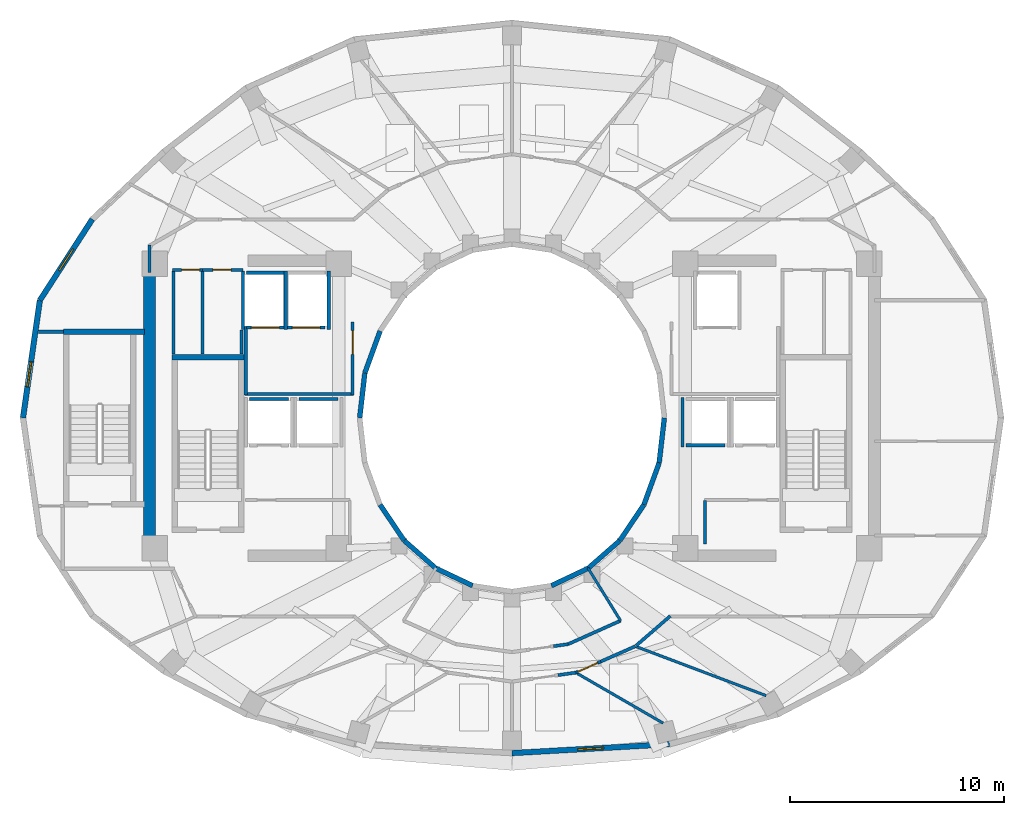
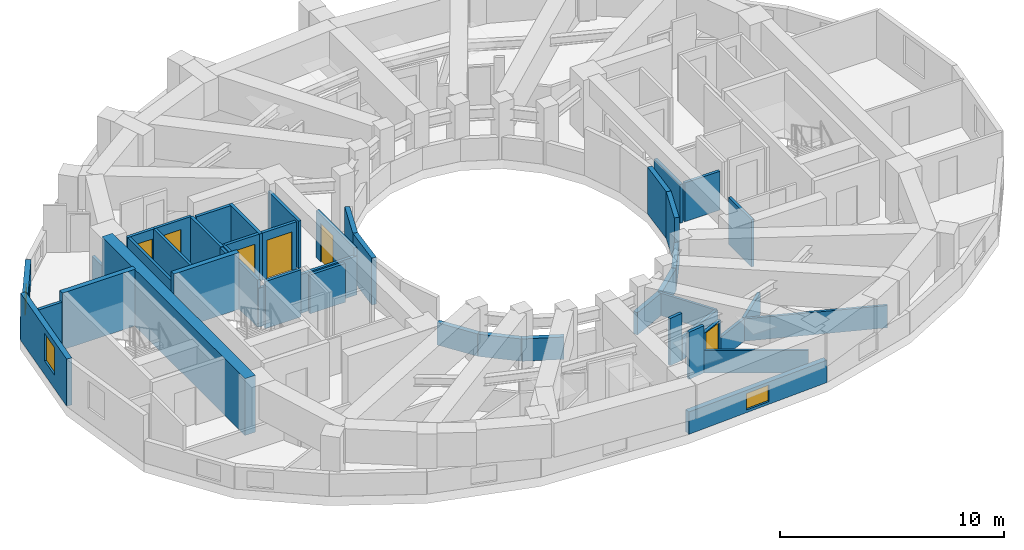
# One storey, part 4 of 9: 46 walls, 6 doors, 3 windows, 9 openings.
"""IFC4 building model written with IfcOpenShell, lengths in metres."""

from ifc_helpers import new_model, si_unit, direction, frame, frame_2d, origin, place, context, subcontext, project, spatial, rectangle, extrude, material, layer, layer_set, type_object, element, fill, save


model = new_model("IFC4")

# Units and contexts
model_context = context("Model", 3, precision=1e-05, world=origin(), true_north=direction((0.0, 1.0)))
body_context = subcontext(model_context, "Body", "Model", "MODEL_VIEW")
ifc_project = project(units=[si_unit("LENGTHUNIT", "METRE"), si_unit("AREAUNIT", "SQUARE_METRE"), si_unit("VOLUMEUNIT", "CUBIC_METRE"), si_unit("PLANEANGLEUNIT", "RADIAN"), si_unit("MASSUNIT", "GRAM", prefix="KILO")], contexts=[model_context])

# Site, building, storey
site_placement = place(None, origin())
site = spatial("IfcSite", under=ifc_project, at=site_placement, CompositionType="ELEMENT")
building_placement = place(site_placement, origin())
building = spatial("IfcBuilding", under=site, at=building_placement, Name="Solvane Sanctuary Tower", CompositionType="ELEMENT")
storey_placement = place(building_placement, frame((0.0, 0.0, 190.10009765625)))
storey = spatial("IfcBuildingStorey", under=building, at=storey_placement, Name="L58", CompositionType="ELEMENT", Elevation=190.10009765625)

# Walls
ifc_material_1 = material(Name="Concrete C50/60", Category="concrete")
ifc_layer_1 = layer(ifc_material_1, 0.550048828125, Name="Concrete C50/60")
ifc_layer_set_1 = layer_set([ifc_layer_1], Name="Concrete C50/60")
wall_type_1 = type_object("IfcWallType", Name="Wall W-CORE-550", PredefinedType="SHEAR", material=ifc_layer_set_1)
wall_1_placement = place(storey_placement, frame((15.050048828125, 17.050048828125, 0.0), z_axis=(0.0, 0.0, 1.0), x_axis=(0.0, 1.0, 0.0)))
element("IfcWall", 1, at=wall_1_placement, inside=storey, type_object=wall_type_1, Name="L58 Core Shear Wall WC-W", PredefinedType="SHEAR", context=body_context, shape_type="SweptSolid", body=[
    extrude(rectangle(XDim=12.800048828125, YDim=0.550048828125, at=frame_2d((6.39990234375, 0.0))), origin(), (0.0, 0.0, 1.0), 3.099853515625),
])
ifc_material_2 = material(Name="Acoustic Gypsum Partition Board")
ifc_layer_2 = layer(ifc_material_2, 0.14990234375, Name="Acoustic Gypsum Partition Board")
ifc_layer_set_2 = layer_set([ifc_layer_2], Name="Acoustic Gypsum Partition Board")
wall_type_2 = type_object("IfcWallType", Name="Wall W-CORR-150", PredefinedType="PARTITIONING", material=ifc_layer_set_2)
wall_2_placement = place(storey_placement, frame((19.52001953125, 24.1201171875, 0.0), z_axis=(0.0, 0.0, 1.0), x_axis=(1.0, 0.0, 0.0)))
element("IfcWall", 2, at=wall_2_placement, inside=storey, type_object=wall_type_2, Name="L58 West Firefighting Lobby South Wall", PredefinedType="PARTITIONING", context=body_context, shape_type="SweptSolid", body=[
    extrude(rectangle(XDim=5.080078125, YDim=0.14990234375, at=frame_2d((2.5400390625, 0.0))), origin(), (0.0, 0.0, 1.0), 2.119873046875),
])
wall_3_placement = place(storey_placement, frame((19.550048828125, 24.080078125, 0.0), z_axis=(0.0, 0.0, 1.0), x_axis=(0.0, 1.0, 0.0)))
element("IfcWall", 3, at=wall_3_placement, inside=storey, type_object=wall_type_2, Name="L58 West Firefighting Lobby West Wall", PredefinedType="PARTITIONING", context=body_context, shape_type="SweptSolid", body=[
    extrude(rectangle(XDim=3.199951171875, YDim=0.14990234375, at=frame_2d((1.60009765625, 0.0))), origin(), (0.0, 0.0, 1.0), 2.574951171875),
])

# Wall, opening, door
wall_4_placement = place(storey_placement, frame((24.550048828125, 24.080078125, 0.0), z_axis=(0.0, 0.0, 1.0), x_axis=(0.0, 1.0, 0.0)))
wall_4 = element("IfcWall", 4, at=wall_4_placement, inside=storey, type_object=wall_type_2, Name="L58 West Firefighting Lobby East Wall", PredefinedType="PARTITIONING", context=body_context, shape_type="SweptSolid", body=[
    extrude(rectangle(XDim=3.39990234375, YDim=0.14990234375, at=frame_2d((1.699951171875, 0.0))), origin(), (0.0, 0.0, 1.0), 2.574951171875),
])
opening_1_placement = place(wall_4_placement, frame((1.893798828125, 0.0, 0.0)))
opening_1 = element("IfcOpeningElement", 5, at=opening_1_placement, cuts=wall_4, Name="Opening D-L58-04", PredefinedType="OPENING", context=body_context, shape_type="SweptSolid", body=[
    extrude(rectangle(XDim=1.10009765625, YDim=2.10009765625, at=frame_2d((0.550048828125, 1.050048828125))), frame((0.0, 0.0849609375, 0.0), z_axis=(0.0, -1.0, 0.0), x_axis=(1.0, 0.0, 0.0)), (0.0, 0.0, 1.0), 0.169921875),
])
ifc_material_3 = material(Name="Architectural Stainless Steel 316", Category="steel")
door_type_1 = type_object("IfcDoorType", Name="Door D-FFL", OperationType="NOTDEFINED", PredefinedType="DOOR", material=ifc_material_3)
door_1_placement = place(opening_1_placement, origin())
door_1 = element("IfcDoor", 6, at=door_1_placement, inside=storey, type_object=door_type_1, Name="L58 West Firefighting Lobby Fire Door", OperationType="SINGLE_SWING_LEFT", OverallHeight=2.10009765625, OverallWidth=1.10009765625, PredefinedType="DOOR", context=body_context, shape_type="SweptSolid", body=[
    extrude(rectangle(XDim=1.10009765625, YDim=2.10009765625, at=frame_2d((0.550048828125, 1.050048828125))), frame((0.0, 0.02490234375, 0.0), z_axis=(0.0, -1.0, 0.0), x_axis=(1.0, 0.0, 0.0)), (0.0, 0.0, 1.0), 0.050048828125),
])
fill(opening_1, door_1)

# Walls
wall_5_placement = place(storey_placement, frame((9.869873046875, 27.030029296875, 0.0), z_axis=(0.0, 0.0, 1.0), x_axis=(1.0, 0.0, 0.0)))
element("IfcWall", 7, at=wall_5_placement, inside=storey, type_object=wall_type_2, Name="L58 NW Corner Closer 1", PredefinedType="PARTITIONING", context=body_context, shape_type="SweptSolid", body=[
    extrude(rectangle(XDim=1.170166015625, YDim=0.14990234375, at=frame_2d((0.5849609375, 0.0))), origin(), (0.0, 0.0, 1.0), 2.574951171875),
])
wall_6_placement = place(storey_placement, frame((15.050048828125, 29.800048828125, 0.0), z_axis=(0.0, 0.0, 1.0), x_axis=(0.0, 1.0, 0.0)))
element("IfcWall", 8, at=wall_6_placement, inside=storey, type_object=wall_type_2, Name="L58 NW Corner Closer 2", PredefinedType="PARTITIONING", context=body_context, shape_type="SweptSolid", body=[
    extrude(rectangle(XDim=1.2900390625, YDim=0.14990234375, at=frame_2d((0.64501953125, 0.0))), origin(), (0.0, 0.0, 1.0), 1.219970703125),
])
wall_7_placement = place(storey_placement, frame((37.806640625, 12.35791015625, 0.0), z_axis=(0.0, 0.0, 1.0), x_axis=(0.756055312247, 0.654507727092, 0.0)))
element("IfcWall", 9, at=wall_7_placement, inside=storey, type_object=wall_type_2, Name="L58 SE Corner Throat Wall", PredefinedType="PARTITIONING", context=body_context, shape_type="SweptSolid", body=[
    extrude(rectangle(XDim=2.11083984375, YDim=0.14990234375, at=frame_2d((1.055419921875, 0.0))), origin(), (0.0, 0.0, 1.0), 1.219970703125),
])
wall_8_placement = place(storey_placement, frame((33.942138671875, 12.326171875, 0.0), z_axis=(0.0, 0.0, 1.0), x_axis=(0.990082845611, 0.140484728093, 0.0)))
element("IfcWall", 10, at=wall_8_placement, inside=storey, type_object=wall_type_2, Name="L58 Inner Light-Well Corridor Wall S1", PredefinedType="PARTITIONING", context=body_context, shape_type="SweptSolid", body=[
    extrude(rectangle(XDim=0.693359375, YDim=0.14990234375, at=frame_2d((0.3466796875, 0.0))), origin(), (0.0, 0.0, 1.0), 2.574951171875),
])
wall_9_placement = place(storey_placement, frame((34.625244140625, 12.422607421875, 0.0), z_axis=(0.0, 0.0, 1.0), x_axis=(0.912888568324, 0.408208845842, 0.0)))
element("IfcWall", 11, at=wall_9_placement, inside=storey, type_object=wall_type_2, Name="L58 Inner Light-Well Corridor Wall S1", PredefinedType="PARTITIONING", context=body_context, shape_type="SweptSolid", body=[
    extrude(rectangle(XDim=2.690185546875, YDim=0.14990234375, at=frame_2d((1.34521484375, 0.0))), origin(), (0.0, 0.0, 1.0), 1.219970703125),
])
wall_10_placement = place(storey_placement, frame((34.1455078125, 10.97314453125, 0.0), z_axis=(0.0, 0.0, 1.0), x_axis=(0.990238723834, 0.139381741342, 0.0)))
element("IfcWall", 12, at=wall_10_placement, inside=storey, type_object=wall_type_2, Name="L58 Unit Corridor Wall S3", PredefinedType="PARTITIONING", context=body_context, shape_type="SweptSolid", body=[
    extrude(rectangle(XDim=0.854736328125, YDim=0.14990234375, at=frame_2d((0.42724609375, 0.0))), origin(), (0.0, 0.0, 1.0), 2.574951171875),
])

# Wall, opening, door
wall_11_placement = place(storey_placement, frame((34.976318359375, 11.087890625, 0.0), z_axis=(0.0, 0.0, 1.0), x_axis=(0.91435342481, 0.40491704649, 0.0)))
wall_11 = element("IfcWall", 13, at=wall_11_placement, inside=storey, type_object=wall_type_2, Name="L58 Unit Corridor Wall S4", PredefinedType="PARTITIONING", context=body_context, shape_type="SweptSolid", body=[
    extrude(rectangle(XDim=1.280029296875, YDim=0.14990234375, at=frame_2d((0.64013671875, 0.0))), origin(), (0.0, 0.0, 1.0), 2.159912109375),
])
opening_2_placement = place(wall_11_placement, frame((0.1201171875, 0.0, 0.0)))
opening_2 = element("IfcOpeningElement", 14, at=opening_2_placement, cuts=wall_11, Name="Opening D-L58-30", PredefinedType="OPENING", context=body_context, shape_type="SweptSolid", body=[
    extrude(rectangle(XDim=1.0, YDim=2.10009765625, at=frame_2d((0.5, 1.050048828125))), frame((0.0, 0.0849609375, 0.0), z_axis=(0.0, -1.0, 0.0), x_axis=(1.0, 0.0, 0.0)), (0.0, 0.0, 1.0), 0.169921875),
])
ifc_material_4 = material(Name="Engineered Tropical Hardwood", Category="wood")
door_type_2 = type_object("IfcDoorType", Name="Door D-UNIT", OperationType="NOTDEFINED", PredefinedType="DOOR", material=ifc_material_4)
door_2_placement = place(opening_2_placement, origin())
door_2 = element("IfcDoor", 15, at=door_2_placement, inside=storey, type_object=door_type_2, Name="L58 Unit Entrance Door S4", OperationType="SINGLE_SWING_LEFT", OverallHeight=2.10009765625, OverallWidth=1.0, PredefinedType="DOOR", context=body_context, shape_type="SweptSolid", body=[
    extrude(rectangle(XDim=1.0, YDim=2.10009765625, at=frame_2d((0.5, 1.050048828125))), frame((0.0, 0.02490234375, 0.0), z_axis=(0.0, -1.0, 0.0), x_axis=(1.0, 0.0, 0.0)), (0.0, 0.0, 1.0), 0.050048828125),
])
fill(opening_2, door_2)

# Wall
wall_12_placement = place(storey_placement, frame((36.146728515625, 11.606201171875, 0.0), z_axis=(0.0, 0.0, 1.0), x_axis=(0.914303617865, 0.405029498135, 0.0)))
element("IfcWall", 16, at=wall_12_placement, inside=storey, type_object=wall_type_2, Name="L58 Unit Corridor Wall S4", PredefinedType="PARTITIONING", context=body_context, shape_type="SweptSolid", body=[
    extrude(rectangle(XDim=1.777587890625, YDim=0.14990234375, at=frame_2d((0.888671875, 0.0))), origin(), (0.0, 0.0, 1.0), 1.219970703125),
])

# Wall, opening, window
ifc_material_5 = material(Name="Precast concrete C40/50", Category="concrete")
ifc_layer_3 = layer(ifc_material_5, 0.260009765625, Name="Precast concrete C40/50")
ifc_layer_set_3 = layer_set([ifc_layer_3], Name="Precast concrete C40/50")
wall_type_3 = type_object("IfcWallType", Name="Wall W-EXT-250", PredefinedType="STANDARD", material=ifc_layer_set_3)
wall_13_placement = place(storey_placement, frame((12.380859375, 32.28369140625, 0.0), z_axis=(0.0, 0.0, 1.0), x_axis=(-0.543358984534, -0.839500454989, 0.0)))
wall_13 = element("IfcWall", 17, at=wall_13_placement, inside=storey, type_object=wall_type_3, Name="L58 Ceramic-Printed Facade Wall 10", PredefinedType="STANDARD", context=body_context, shape_type="SweptSolid", body=[
    extrude(rectangle(XDim=4.51123046875, YDim=0.260009765625, at=frame_2d((2.255615234375, 0.0))), origin(), (0.0, 0.0, 1.0), 1.219970703125),
])
opening_3_placement = place(wall_13_placement, frame((1.655517578125, 0.0, 0.14990234375)))
opening_3 = element("IfcOpeningElement", 18, at=opening_3_placement, cuts=wall_13, Name="Opening WN-OPER-1200", PredefinedType="OPENING", context=body_context, shape_type="SweptSolid", body=[
    extrude(rectangle(XDim=1.199951171875, YDim=0.89990234375, at=frame_2d((0.60009765625, 0.449951171875))), frame((0.0, 0.139892578125, 0.0), z_axis=(0.0, -1.0, 0.0), x_axis=(1.0, 0.0, 0.0)), (0.0, 0.0, 1.0), 0.280029296875),
])
ifc_material_6 = material(Name="Dark Ceramic-Fritted Low-E Glass", Category="glass")
window_type = type_object("IfcWindowType", Name="Window WN-OPER-1200", PartitioningType="SINGLE_PANEL", PredefinedType="WINDOW", material=ifc_material_6)
window_1_placement = place(opening_3_placement, origin())
window_1 = element("IfcWindow", 19, at=window_1_placement, inside=storey, type_object=window_type, Name="L58 Operable Facade Window 10", OverallHeight=0.89990234375, OverallWidth=1.199951171875, PartitioningType="SINGLE_PANEL", PredefinedType="WINDOW", context=body_context, shape_type="SweptSolid", body=[
    extrude(rectangle(XDim=1.199951171875, YDim=0.89990234375, at=frame_2d((0.60009765625, 0.449951171875))), frame((0.0, 0.030029296875, 0.0), z_axis=(0.0, -1.0, 0.0), x_axis=(1.0, 0.0, 0.0)), (0.0, 0.0, 1.0), 0.06005859375),
])
fill(opening_3, window_1)

wall_14_placement = place(storey_placement, frame((9.9296875, 28.49658203125, 0.0), z_axis=(0.0, 0.0, 1.0), x_axis=(-0.142227632286, -0.989833976288, 0.0)))
wall_14 = element("IfcWall", 20, at=wall_14_placement, inside=storey, type_object=wall_type_3, Name="L58 Ceramic-Printed Facade Wall 11", PredefinedType="STANDARD", context=body_context, shape_type="SweptSolid", body=[
    extrude(rectangle(XDim=5.552978515625, YDim=0.260009765625, at=frame_2d((2.7763671875, 0.0))), origin(), (0.0, 0.0, 1.0), 2.56982421875),
])
opening_4_placement = place(wall_14_placement, frame((2.892333984375, 0.0, 0.75)))
opening_4 = element("IfcOpeningElement", 21, at=opening_4_placement, cuts=wall_14, Name="Opening WN-OPER-1200", PredefinedType="OPENING", context=body_context, shape_type="SweptSolid", body=[
    extrude(rectangle(XDim=1.199951171875, YDim=1.5, at=frame_2d((0.60009765625, 0.75))), frame((0.0, 0.139892578125, 0.0), z_axis=(0.0, -1.0, 0.0), x_axis=(1.0, 0.0, 0.0)), (0.0, 0.0, 1.0), 0.280029296875),
])
window_2_placement = place(opening_4_placement, origin())
window_2 = element("IfcWindow", 22, at=window_2_placement, inside=storey, type_object=window_type, Name="L58 Operable Facade Window 11", OverallHeight=1.5, OverallWidth=1.199951171875, PartitioningType="SINGLE_PANEL", PredefinedType="WINDOW", context=body_context, shape_type="SweptSolid", body=[
    extrude(rectangle(XDim=1.199951171875, YDim=1.5, at=frame_2d((0.60009765625, 0.75))), frame((0.0, 0.030029296875, 0.0), z_axis=(0.0, -1.0, 0.0), x_axis=(1.0, 0.0, 0.0)), (0.0, 0.0, 1.0), 0.06005859375),
])
fill(opening_4, window_2)

wall_15_placement = place(storey_placement, frame((32.0, 7.32861328125, 0.0), z_axis=(0.0, 0.0, 1.0), x_axis=(0.998417906562, 0.056228852534, 0.0)))
wall_15 = element("IfcWall", 23, at=wall_15_placement, inside=storey, type_object=wall_type_3, Name="L58 Ceramic-Printed Facade Wall 18", PredefinedType="STANDARD", context=body_context, shape_type="SweptSolid", body=[
    extrude(rectangle(XDim=7.376953125, YDim=0.260009765625, at=frame_2d((3.6884765625, 0.0))), origin(), (0.0, 0.0, 1.0), 1.219970703125),
])
opening_5_placement = place(wall_15_placement, frame((3.08837890625, 0.0, 0.14990234375)))
opening_5 = element("IfcOpeningElement", 24, at=opening_5_placement, cuts=wall_15, Name="Opening WN-OPER-1200", PredefinedType="OPENING", context=body_context, shape_type="SweptSolid", body=[
    extrude(rectangle(XDim=1.199951171875, YDim=0.89990234375, at=frame_2d((0.60009765625, 0.449951171875))), frame((0.0, 0.139892578125, 0.0), z_axis=(0.0, -1.0, 0.0), x_axis=(1.0, 0.0, 0.0)), (0.0, 0.0, 1.0), 0.280029296875),
])
window_3_placement = place(opening_5_placement, origin())
window_3 = element("IfcWindow", 25, at=window_3_placement, inside=storey, type_object=window_type, Name="L58 Operable Facade Window 18", OverallHeight=0.89990234375, OverallWidth=1.199951171875, PartitioningType="SINGLE_PANEL", PredefinedType="WINDOW", context=body_context, shape_type="SweptSolid", body=[
    extrude(rectangle(XDim=1.199951171875, YDim=0.89990234375, at=frame_2d((0.60009765625, 0.449951171875))), frame((0.0, 0.030029296875, 0.0), z_axis=(0.0, -1.0, 0.0), x_axis=(1.0, 0.0, 0.0)), (0.0, 0.0, 1.0), 0.06005859375),
])
fill(opening_5, window_3)

# Walls
ifc_layer_4 = layer(ifc_material_5, 0.22998046875, Name="Precast concrete C40/50")
ifc_layer_set_4 = layer_set([ifc_layer_4], Name="Precast concrete C40/50")
wall_type_4 = type_object("IfcWallType", Name="Wall W-EXT-SP220", PredefinedType="STANDARD", material=ifc_layer_set_4)
wall_16_placement = place(storey_placement, frame((25.833984375, 27.06005859375, 0.0), z_axis=(0.0, 0.0, 1.0), x_axis=(-0.341423187295, -0.93990968033, 0.0)))
element("IfcWall", 26, at=wall_16_placement, inside=storey, type_object=wall_type_4, Name="L58 Central Light-Well Wall 10", PredefinedType="STANDARD", context=body_context, shape_type="SweptSolid", body=[
    extrude(rectangle(XDim=2.083740234375, YDim=0.22998046875, at=frame_2d((1.0419921875, 0.0))), origin(), (0.0, 0.0, 1.0), 2.559814453125),
])
wall_17_placement = place(storey_placement, frame((25.12255859375, 25.1015625, 0.0), z_axis=(0.0, 0.0, 1.0), x_axis=(-0.114711713601, -0.993398823617, 0.0)))
element("IfcWall", 27, at=wall_17_placement, inside=storey, type_object=wall_type_4, Name="L58 Central Light-Well Wall 11", PredefinedType="STANDARD", context=body_context, shape_type="SweptSolid", body=[
    extrude(rectangle(XDim=2.115478515625, YDim=0.22998046875, at=frame_2d((1.0576171875, 0.0))), origin(), (0.0, 0.0, 1.0), 2.559814453125),
])
wall_18_placement = place(storey_placement, frame((25.833984375, 18.93994140625, 0.0), z_axis=(0.0, 0.0, 1.0), x_axis=(0.558197800898, -0.829707909492, 0.0)))
element("IfcWall", 28, at=wall_18_placement, inside=storey, type_object=wall_type_4, Name="L58 Central Light-Well Wall 14", PredefinedType="STANDARD", context=body_context, shape_type="SweptSolid", body=[
    extrude(rectangle(XDim=2.02685546875, YDim=0.22998046875, at=frame_2d((1.013427734375, 0.0))), origin(), (0.0, 0.0, 1.0), 1.219970703125),
])
wall_19_placement = place(storey_placement, frame((26.96533203125, 17.25830078125, 0.0), z_axis=(0.0, 0.0, 1.0), x_axis=(0.752576694707, -0.658504607869, 0.0)))
element("IfcWall", 29, at=wall_19_placement, inside=storey, type_object=wall_type_4, Name="L58 Central Light-Well Wall 15", PredefinedType="STANDARD", context=body_context, shape_type="SweptSolid", body=[
    extrude(rectangle(XDim=1.95947265625, YDim=0.22998046875, at=frame_2d((0.979736328125, 0.0))), origin(), (0.0, 0.0, 1.0), 1.219970703125),
])
for number, where, z_axis, x_axis, name in (
    (30, (28.43994140625, 15.968017578125, 0.0), (0.0, 0.0, 1.0), (0.904179699603, -0.427152280606, 0.0), "L58 Central Light-Well Wall 16"),
    (31, (33.8427734375, 15.15673828125, 0.0), (0.0, 0.0, 1.0), (0.904179699603, 0.427152280606, 0.0), "L58 Central Light-Well Wall 19"),
):
    element("IfcWall", number, at=place(storey_placement, frame(where, z_axis=z_axis, x_axis=x_axis)), inside=storey, type_object=wall_type_4, Name=name, PredefinedType="STANDARD", context=body_context, shape_type="SweptSolid", body=[
        extrude(rectangle(XDim=1.899169921875, YDim=0.22998046875, at=frame_2d((0.94970703125, 0.0))), origin(), (0.0, 0.0, 1.0), 1.219970703125),
    ])
wall_20_placement = place(storey_placement, frame((35.56005859375, 15.968017578125, 0.0), z_axis=(0.0, 0.0, 1.0), x_axis=(0.752576694707, 0.658504607869, 0.0)))
element("IfcWall", 32, at=wall_20_placement, inside=storey, type_object=wall_type_4, Name="L58 Central Light-Well Wall 20", PredefinedType="STANDARD", context=body_context, shape_type="SweptSolid", body=[
    extrude(rectangle(XDim=1.95947265625, YDim=0.22998046875, at=frame_2d((0.979736328125, 0.0))), origin(), (0.0, 0.0, 1.0), 1.219970703125),
])
wall_21_placement = place(storey_placement, frame((37.03466796875, 17.25830078125, 0.0), z_axis=(0.0, 0.0, 1.0), x_axis=(0.558197800898, 0.829707909492, 0.0)))
element("IfcWall", 33, at=wall_21_placement, inside=storey, type_object=wall_type_4, Name="L58 Central Light-Well Wall 21", PredefinedType="STANDARD", context=body_context, shape_type="SweptSolid", body=[
    extrude(rectangle(XDim=2.02685546875, YDim=0.22998046875, at=frame_2d((1.013427734375, 0.0))), origin(), (0.0, 0.0, 1.0), 1.219970703125),
])
wall_22_placement = place(storey_placement, frame((38.166015625, 18.93994140625, 0.0), z_axis=(0.0, 0.0, 1.0), x_axis=(0.341423187295, 0.93990968033, 0.0)))
element("IfcWall", 34, at=wall_22_placement, inside=storey, type_object=wall_type_4, Name="L58 Central Light-Well Wall 22", PredefinedType="STANDARD", context=body_context, shape_type="SweptSolid", body=[
    extrude(rectangle(XDim=2.083740234375, YDim=0.22998046875, at=frame_2d((1.0419921875, 0.0))), origin(), (0.0, 0.0, 1.0), 2.559814453125),
])
wall_23_placement = place(storey_placement, frame((38.87744140625, 20.8984375, 0.0), z_axis=(0.0, 0.0, 1.0), x_axis=(0.114711713601, 0.993398823617, 0.0)))
element("IfcWall", 35, at=wall_23_placement, inside=storey, type_object=wall_type_4, Name="L58 Central Light-Well Wall 23", PredefinedType="STANDARD", context=body_context, shape_type="SweptSolid", body=[
    extrude(rectangle(XDim=2.115478515625, YDim=0.22998046875, at=frame_2d((1.0576171875, 0.0))), origin(), (0.0, 0.0, 1.0), 2.559814453125),
])
ifc_layer_5 = layer(ifc_material_2, 0.125, Name="Acoustic Gypsum Partition Board")
ifc_layer_set_5 = layer_set([ifc_layer_5], Name="Acoustic Gypsum Partition Board")
wall_type_5 = type_object("IfcWallType", Name="Wall W-PART-125", PredefinedType="PARTITIONING", material=ifc_layer_set_5)
wall_24_placement = place(storey_placement, frame((41.02001953125, 17.10009765625, 0.0), z_axis=(0.0, 0.0, 1.0), x_axis=(0.0, 1.0, 0.0)))
element("IfcWall", 36, at=wall_24_placement, inside=storey, type_object=wall_type_5, Name="L58 Reclaimed Room Closer Wall PLE-1", PredefinedType="PARTITIONING", context=body_context, shape_type="SweptSolid", body=[
    extrude(rectangle(XDim=2.039794921875, YDim=0.125, at=frame_2d((1.02001953125, 0.0))), origin(), (0.0, 0.0, 1.0), 2.574951171875),
])
wall_25_placement = place(storey_placement, frame((35.550048828125, 15.985107421875, 0.0), z_axis=(0.0, 0.0, 1.0), x_axis=(0.525627246902, -0.850714991824, 0.0)))
element("IfcWall", 37, at=wall_25_placement, inside=storey, type_object=wall_type_5, Name="L58 Inner Light-Well Radial Wall 300", PredefinedType="PARTITIONING", context=body_context, shape_type="SweptSolid", body=[
    extrude(rectangle(XDim=2.901123046875, YDim=0.125, at=frame_2d((1.45068359375, 0.0))), origin(), (0.0, 0.0, 1.0), 1.219970703125),
])
wall_26_placement = place(storey_placement, frame((35.03173828125, 11.0625, 0.0), z_axis=(0.0, 0.0, 1.0), x_axis=(0.865627016774, -0.500689392568, 0.0)))
element("IfcWall", 38, at=wall_26_placement, inside=storey, type_object=wall_type_5, Name="L58 Radial Compartment Wall 285", PredefinedType="PARTITIONING", context=body_context, shape_type="SweptSolid", body=[
    extrude(rectangle(XDim=4.66162109375, YDim=0.125, at=frame_2d((2.330810546875, 0.0))), origin(), (0.0, 0.0, 1.0), 1.219970703125),
])
wall_27_placement = place(storey_placement, frame((37.81640625, 12.302490234375, 0.0), z_axis=(0.0, 0.0, 1.0), x_axis=(0.935601484289, -0.353057874288, 0.0)))
element("IfcWall", 39, at=wall_27_placement, inside=storey, type_object=wall_type_5, Name="L58 Radial Compartment Wall 300", PredefinedType="PARTITIONING", context=body_context, shape_type="SweptSolid", body=[
    extrude(rectangle(XDim=6.484130859375, YDim=0.125, at=frame_2d((3.2421875, 0.0))), origin(), (0.0, 0.0, 1.0), 1.219970703125),
])
ifc_layer_6 = layer(ifc_material_1, 0.14990234375, Name="Concrete C50/60")
ifc_layer_set_6 = layer_set([ifc_layer_6], Name="Concrete C50/60")
wall_type_6 = type_object("IfcWallType", Name="Wall W-SHAFT-150", PredefinedType="SOLIDWALL", material=ifc_layer_set_6)
wall_28_placement = place(storey_placement, frame((19.739990234375, 23.8798828125, 0.0), z_axis=(0.0, 0.0, 1.0), x_axis=(1.0, 0.0, 0.0)))
element("IfcWall", 40, at=wall_28_placement, inside=storey, type_object=wall_type_6, Name="L58 PM-1 Lift Shaft Wall B", PredefinedType="SOLIDWALL", context=body_context, shape_type="SweptSolid", body=[
    extrude(rectangle(XDim=1.820068359375, YDim=0.14990234375, at=frame_2d((0.91015625, 0.0))), origin(), (0.0, 0.0, 1.0), 2.574951171875),
])
for number, where, z_axis, x_axis, name in (
    (41, (22.0400390625, 23.8798828125, 0.0), (0.0, 0.0, 1.0), (1.0, 0.0, 0.0), "L58 PH-1 Lift Shaft Wall B"),
    (42, (40.139892578125, 21.719970703125, 0.0), (0.0, 0.0, 1.0), (1.0, 0.0, 0.0), "L58 PH-2 Lift Shaft Wall F"),
):
    element("IfcWall", number, at=place(storey_placement, frame(where, z_axis=z_axis, x_axis=x_axis)), inside=storey, type_object=wall_type_6, Name=name, PredefinedType="SOLIDWALL", context=body_context, shape_type="SweptSolid", body=[
        extrude(rectangle(XDim=1.820068359375, YDim=0.14990234375, at=frame_2d((0.91015625, 0.0))), origin(), (0.0, 0.0, 1.0), 2.119873046875),
    ])
wall_29_placement = place(storey_placement, frame((39.969970703125, 21.639892578125, 0.0), z_axis=(0.0, 0.0, 1.0), x_axis=(0.0, 1.0, 0.0)))
element("IfcWall", 43, at=wall_29_placement, inside=storey, type_object=wall_type_6, Name="L58 PH-2 Lift Shaft Wall S1", PredefinedType="SOLIDWALL", context=body_context, shape_type="SweptSolid", body=[
    extrude(rectangle(XDim=2.320068359375, YDim=0.14990234375, at=frame_2d((1.16015625, 0.0))), origin(), (0.0, 0.0, 1.0), 2.119873046875),
])

# Wall, opening, door
wall_30_placement = place(storey_placement, frame((19.590087890625, 27.219970703125, 0.0), z_axis=(0.0, 0.0, 1.0), x_axis=(1.0, 0.0, 0.0)))
wall_30 = element("IfcWall", 44, at=wall_30_placement, inside=storey, type_object=wall_type_6, Name="L58 FFL-1 Lift Shaft Wall F", PredefinedType="SOLIDWALL", context=body_context, shape_type="SweptSolid", body=[
    extrude(rectangle(XDim=1.760009765625, YDim=0.14990234375, at=frame_2d((0.8798828125, 0.0))), origin(), (0.0, 0.0, 1.0), 2.574951171875),
])
opening_6_placement = place(wall_30_placement, frame((0.22998046875, 0.0, 0.0)))
opening_6 = element("IfcOpeningElement", 45, at=opening_6_placement, cuts=wall_30, Name="Opening LD-L58-03", PredefinedType="OPENING", context=body_context, shape_type="SweptSolid", body=[
    extrude(rectangle(XDim=1.300048828125, YDim=2.10009765625, at=frame_2d((0.64990234375, 1.050048828125))), frame((0.0, 0.0849609375, 0.0), z_axis=(0.0, -1.0, 0.0), x_axis=(1.0, 0.0, 0.0)), (0.0, 0.0, 1.0), 0.169921875),
])
door_type_3 = type_object("IfcDoorType", Name="Door LD-FFL-1300", OperationType="NOTDEFINED", PredefinedType="DOOR", material=ifc_material_3)
door_3_placement = place(opening_6_placement, origin())
door_3 = element("IfcDoor", 46, at=door_3_placement, inside=storey, type_object=door_type_3, Name="L58 FFL-1 Lift Landing Door", OperationType="DOUBLE_DOOR_SLIDING", OverallHeight=2.10009765625, OverallWidth=1.300048828125, PredefinedType="DOOR", context=body_context, shape_type="SweptSolid", body=[
    extrude(rectangle(XDim=1.300048828125, YDim=2.10009765625, at=frame_2d((0.64990234375, 1.050048828125))), frame((0.0, 0.02490234375, 0.0), z_axis=(0.0, -1.0, 0.0), x_axis=(1.0, 0.0, 0.0)), (0.0, 0.0, 1.0), 0.050048828125),
])
fill(opening_6, door_3)

# Walls
wall_31_placement = place(storey_placement, frame((19.590087890625, 29.780029296875, 0.0), z_axis=(0.0, 0.0, 1.0), x_axis=(1.0, 0.0, 0.0)))
element("IfcWall", 47, at=wall_31_placement, inside=storey, type_object=wall_type_6, Name="L58 FFL-1 Lift Shaft Wall B", PredefinedType="SOLIDWALL", context=body_context, shape_type="SweptSolid", body=[
    extrude(rectangle(XDim=1.760009765625, YDim=0.14990234375, at=frame_2d((0.8798828125, 0.0))), origin(), (0.0, 0.0, 1.0), 2.574951171875),
])
for number, where, z_axis, x_axis, name in (
    (48, (19.419921875, 27.139892578125, 0.0), (0.0, 0.0, 1.0), (0.0, 1.0, 0.0), "L58 FFL-1 Lift Shaft Wall S1"),
    (49, (21.425048828125, 27.139892578125, 0.0), (0.0, 0.0, 1.0), (0.0, 1.0, 0.0), "L58 FFL-1 Lift Shaft Wall S2"),
):
    element("IfcWall", number, at=place(storey_placement, frame(where, z_axis=z_axis, x_axis=x_axis)), inside=storey, type_object=wall_type_6, Name=name, PredefinedType="SOLIDWALL", context=body_context, shape_type="SweptSolid", body=[
        extrude(rectangle(XDim=2.72021484375, YDim=0.14990234375, at=frame_2d((1.360107421875, 0.0))), origin(), (0.0, 0.0, 1.0), 2.574951171875),
    ])

# Wall, opening, door
wall_32_placement = place(storey_placement, frame((21.5, 27.219970703125, 0.0), z_axis=(0.0, 0.0, 1.0), x_axis=(1.0, 0.0, 0.0)))
wall_32 = element("IfcWall", 50, at=wall_32_placement, inside=storey, type_object=wall_type_6, Name="L58 SVL-1 Lift Shaft Wall F", PredefinedType="SOLIDWALL", context=body_context, shape_type="SweptSolid", body=[
    extrude(rectangle(XDim=1.760009765625, YDim=0.14990234375, at=frame_2d((0.8798828125, 0.0))), origin(), (0.0, 0.0, 1.0), 2.574951171875),
])
opening_7_placement = place(wall_32_placement, frame((0.22998046875, 0.0, 0.0)))
opening_7 = element("IfcOpeningElement", 51, at=opening_7_placement, cuts=wall_32, Name="Opening LD-L58-04", PredefinedType="OPENING", context=body_context, shape_type="SweptSolid", body=[
    extrude(rectangle(XDim=1.300048828125, YDim=2.10009765625, at=frame_2d((0.64990234375, 1.050048828125))), frame((0.0, 0.0849609375, 0.0), z_axis=(0.0, -1.0, 0.0), x_axis=(1.0, 0.0, 0.0)), (0.0, 0.0, 1.0), 0.169921875),
])
door_4_placement = place(opening_7_placement, origin())
door_4 = element("IfcDoor", 52, at=door_4_placement, inside=storey, type_object=door_type_3, Name="L58 SVL-1 Lift Landing Door", OperationType="DOUBLE_DOOR_SLIDING", OverallHeight=2.10009765625, OverallWidth=1.300048828125, PredefinedType="DOOR", context=body_context, shape_type="SweptSolid", body=[
    extrude(rectangle(XDim=1.300048828125, YDim=2.10009765625, at=frame_2d((0.64990234375, 1.050048828125))), frame((0.0, 0.02490234375, 0.0), z_axis=(0.0, -1.0, 0.0), x_axis=(1.0, 0.0, 0.0)), (0.0, 0.0, 1.0), 0.050048828125),
])
fill(opening_7, door_4)

# Walls
wall_33_placement = place(storey_placement, frame((23.429931640625, 27.139892578125, 0.0), z_axis=(0.0, 0.0, 1.0), x_axis=(0.0, 1.0, 0.0)))
element("IfcWall", 53, at=wall_33_placement, inside=storey, type_object=wall_type_6, Name="L58 SVL-1 Lift Shaft Wall S2", PredefinedType="SOLIDWALL", context=body_context, shape_type="SweptSolid", body=[
    extrude(rectangle(XDim=2.72021484375, YDim=0.14990234375, at=frame_2d((1.360107421875, 0.0))), origin(), (0.0, 0.0, 1.0), 2.574951171875),
])
ifc_layer_7 = layer(ifc_material_1, 0.25, Name="Concrete C50/60")
ifc_layer_set_7 = layer_set([ifc_layer_7], Name="Concrete C50/60")
wall_type_7 = type_object("IfcWallType", Name="Wall W-SHAFT-250", PredefinedType="SOLIDWALL", material=ifc_layer_set_7)
wall_34_placement = place(storey_placement, frame((16.10498046875, 25.830078125, 0.0), z_axis=(0.0, 0.0, 1.0), x_axis=(1.0, 0.0, 0.0)))
element("IfcWall", 54, at=wall_34_placement, inside=storey, type_object=wall_type_7, Name="L58 ST-1 Load-Bearing Shaft Wall N", PredefinedType="SOLIDWALL", context=body_context, shape_type="SweptSolid", body=[
    extrude(rectangle(XDim=3.3701171875, YDim=0.25, at=frame_2d((1.68505859375, 0.0))), origin(), (0.0, 0.0, 1.0), 3.099853515625),
])
wall_35_placement = place(storey_placement, frame((11.044921875, 27.030029296875, 0.0), z_axis=(0.0, 0.0, 1.0), x_axis=(1.0, 0.0, 0.0)))
element("IfcWall", 55, at=wall_35_placement, inside=storey, type_object=wall_type_7, Name="L58 ST-3 Load-Bearing Shaft Wall N", PredefinedType="SOLIDWALL", context=body_context, shape_type="SweptSolid", body=[
    extrude(rectangle(XDim=3.781982421875, YDim=0.25, at=frame_2d((1.89111328125, 0.0))), origin(), (0.0, 0.0, 1.0), 3.099853515625),
])

# Wall, opening, door
ifc_layer_8 = layer(ifc_material_2, 0.139892578125, Name="Acoustic Gypsum Partition Board")
ifc_layer_set_8 = layer_set([ifc_layer_8], Name="Acoustic Gypsum Partition Board")
wall_type_8 = type_object("IfcWallType", Name="Wall W-WET-140", PredefinedType="PLUMBINGWALL", material=ifc_layer_set_8)
wall_36_placement = place(storey_placement, frame((16.1201171875, 29.919921875, 0.0), z_axis=(0.0, 0.0, 1.0), x_axis=(1.0, 0.0, 0.0)))
wall_36 = element("IfcWall", 56, at=wall_36_placement, inside=storey, type_object=wall_type_8, Name="L58 Core Service Front Wall KW1", PredefinedType="PLUMBINGWALL", context=body_context, shape_type="SweptSolid", body=[
    extrude(rectangle(XDim=1.39990234375, YDim=0.139892578125, at=frame_2d((0.699951171875, 0.0))), origin(), (0.0, 0.0, 1.0), 2.574951171875),
])
opening_8_placement = place(wall_36_placement, frame((0.429931640625, 0.0, 0.0)))
opening_8 = element("IfcOpeningElement", 57, at=opening_8_placement, cuts=wall_36, Name="Opening D-L58-08", PredefinedType="OPENING", context=body_context, shape_type="SweptSolid", body=[
    extrude(rectangle(XDim=0.85009765625, YDim=2.050048828125, at=frame_2d((0.425048828125, 1.02490234375))), frame((0.0, 0.079833984375, 0.0), z_axis=(0.0, -1.0, 0.0), x_axis=(1.0, 0.0, 0.0)), (0.0, 0.0, 1.0), 0.159912109375),
])
door_type_4 = type_object("IfcDoorType", Name="Door D-RISER", OperationType="NOTDEFINED", PredefinedType="DOOR", material=ifc_material_3)
door_5_placement = place(opening_8_placement, origin())
door_5 = element("IfcDoor", 58, at=door_5_placement, inside=storey, type_object=door_type_4, Name="L58 Core Service Room Door KW1-1", OperationType="SINGLE_SWING_LEFT", OverallHeight=2.050048828125, OverallWidth=0.85009765625, PredefinedType="DOOR", context=body_context, shape_type="SweptSolid", body=[
    extrude(rectangle(XDim=0.85009765625, YDim=2.050048828125, at=frame_2d((0.425048828125, 1.02490234375))), frame((0.0, 0.02490234375, 0.0), z_axis=(0.0, -1.0, 0.0), x_axis=(1.0, 0.0, 0.0)), (0.0, 0.0, 1.0), 0.050048828125),
])
fill(opening_8, door_5)

# Walls
for number, where, z_axis, x_axis, name in (
    (59, (16.179931640625, 25.97998046875, 0.0), (0.0, 0.0, 1.0), (0.0, 1.0, 0.0), "L58 Core Service Side Wall KW1-1"),
    (60, (17.52001953125, 25.97998046875, 0.0), (0.0, 0.0, 1.0), (0.0, 1.0, 0.0), "L58 Core Service Side Wall KW1-2"),
):
    element("IfcWall", number, at=place(storey_placement, frame(where, z_axis=z_axis, x_axis=x_axis)), inside=storey, type_object=wall_type_8, Name=name, PredefinedType="PLUMBINGWALL", context=body_context, shape_type="SweptSolid", body=[
        extrude(rectangle(XDim=3.880126953125, YDim=0.139892578125, at=frame_2d((1.93994140625, 0.0))), origin(), (0.0, 0.0, 1.0), 2.574951171875),
    ])

# Wall, opening, door
wall_37_placement = place(storey_placement, frame((17.52001953125, 29.919921875, 0.0), z_axis=(0.0, 0.0, 1.0), x_axis=(1.0, 0.0, 0.0)))
wall_37 = element("IfcWall", 61, at=wall_37_placement, inside=storey, type_object=wall_type_8, Name="L58 Core Service Front Wall KW2", PredefinedType="PLUMBINGWALL", context=body_context, shape_type="SweptSolid", body=[
    extrude(rectangle(XDim=1.89990234375, YDim=0.139892578125, at=frame_2d((0.949951171875, 0.0))), origin(), (0.0, 0.0, 1.0), 2.574951171875),
])
opening_9_placement = place(wall_37_placement, frame((0.5, 0.0, 0.0)))
opening_9 = element("IfcOpeningElement", 62, at=opening_9_placement, cuts=wall_37, Name="Opening D-L58-09", PredefinedType="OPENING", context=body_context, shape_type="SweptSolid", body=[
    extrude(rectangle(XDim=0.85009765625, YDim=2.050048828125, at=frame_2d((0.425048828125, 1.02490234375))), frame((0.0, 0.079833984375, 0.0), z_axis=(0.0, -1.0, 0.0), x_axis=(1.0, 0.0, 0.0)), (0.0, 0.0, 1.0), 0.159912109375),
])
door_6_placement = place(opening_9_placement, origin())
door_6 = element("IfcDoor", 63, at=door_6_placement, inside=storey, type_object=door_type_4, Name="L58 Core Service Room Door KW2-1", OperationType="SINGLE_SWING_RIGHT", OverallHeight=2.050048828125, OverallWidth=0.85009765625, PredefinedType="DOOR", context=body_context, shape_type="SweptSolid", body=[
    extrude(rectangle(XDim=0.85009765625, YDim=2.050048828125, at=frame_2d((0.425048828125, 1.02490234375))), frame((0.0, 0.02490234375, 0.0), z_axis=(0.0, -1.0, 0.0), x_axis=(1.0, 0.0, 0.0)), (0.0, 0.0, 1.0), 0.050048828125),
])
fill(opening_9, door_6)

# Wall
wall_38_placement = place(storey_placement, frame((19.360107421875, 25.97998046875, 0.0), z_axis=(0.0, 0.0, 1.0), x_axis=(0.0, 1.0, 0.0)))
element("IfcWall", 64, at=wall_38_placement, inside=storey, type_object=wall_type_8, Name="L58 Core Service Side Wall KW2-1", PredefinedType="PLUMBINGWALL", context=body_context, shape_type="SweptSolid", body=[
    extrude(rectangle(XDim=1.1201171875, YDim=0.139892578125, at=frame_2d((0.56005859375, 0.0))), origin(), (0.0, 0.0, 1.0), 2.574951171875),
])

save(model, "model.ifc")
